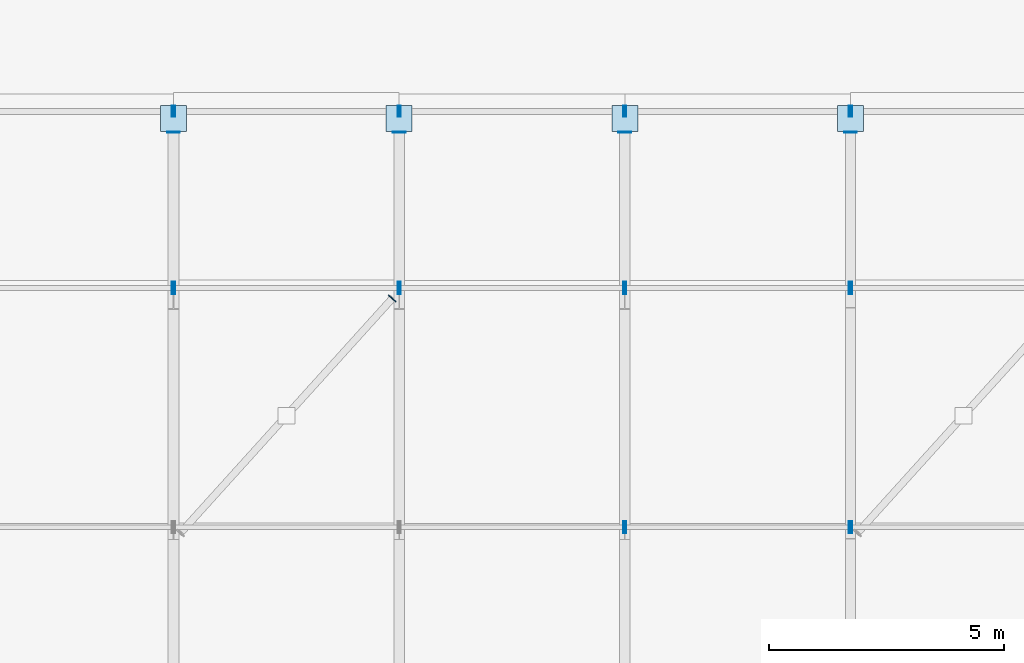
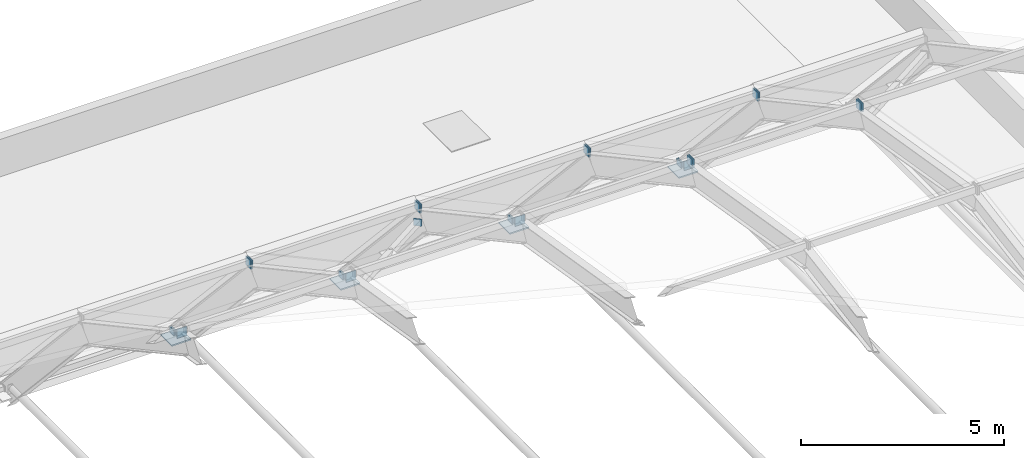
# One storey, part 6 of 10: 29 plates.
"""IFC4 building model written with IfcOpenShell, lengths in metres."""

from ifc_helpers import new_model, si_unit, direction, frame, origin, origin_2d, place, context, subcontext, project, spatial, rectangle, extrude, material, layer, layer_set, type_object, element, save


model = new_model("IFC4")

# Units and contexts
model_context = context("Model", 3, precision=1e-05, world=origin(), true_north=direction((0.0, 1.0)))
body_context = subcontext(model_context, "Body", "Model", "MODEL_VIEW")
ifc_project = project(units=[si_unit("LENGTHUNIT", "METRE"), si_unit("AREAUNIT", "SQUARE_METRE"), si_unit("VOLUMEUNIT", "CUBIC_METRE"), si_unit("PLANEANGLEUNIT", "RADIAN"), si_unit("MASSUNIT", "GRAM", prefix="KILO")], contexts=[model_context])

# Site, building, storey
site_placement = place(None, origin())
site = spatial("IfcSite", under=ifc_project, at=site_placement, CompositionType="ELEMENT")
building_placement = place(site_placement, origin())
building = spatial("IfcBuilding", under=site, at=building_placement, Name="Zantavel Square City Hall", CompositionType="ELEMENT")
storey_placement = place(building_placement, frame((0.0, 0.0, 28.5)))
storey = spatial("IfcBuildingStorey", under=building, at=storey_placement, Name="RF", CompositionType="ELEMENT", Elevation=28.5)

# Plates
ifc_material = material(Name="Steel ASTM A572 Grade 50", Category="steel")
ifc_layer_1 = layer(ifc_material, 0.01806640625, Name="Steel ASTM A572 Grade 50")
ifc_layer_set_1 = layer_set([ifc_layer_1], Name="Steel ASTM A572 Grade 50")
plate_type_1 = type_object("IfcPlateType", Name="CHS 219 End Cap Plate 18mm", PredefinedType="SHEET", material=ifc_layer_set_1)
for number, where, z_axis, x_axis, name in (
    (1, (81.60009765625, 59.7060546875, 0.212646484375), (0.0, 0.0, 1.0), (0.0, 1.0, 0.0), "Barrel Vault Rib 4 Tension Tie End Cap 2"),
    (2, (86.39990234375, 59.7060546875, 0.212646484375), (0.0, 0.0, 1.0), (0.0, 1.0, 0.0), "Barrel Vault Rib 5 Tension Tie End Cap 2"),
    (3, (91.199951171875, 59.7060546875, 0.212646484375), (0.0, 0.0, 1.0), (0.0, 1.0, 0.0), "Barrel Vault Rib 6 Tension Tie End Cap 2"),
    (4, (96.0, 59.7060546875, 0.212646484375), (0.0, 0.0, 1.0), (0.0, 1.0, 0.0), "Barrel Vault Rib 7 Tension Tie End Cap 2"),
):
    element("IfcPlate", number, at=place(storey_placement, frame(where, z_axis=z_axis, x_axis=x_axis)), inside=storey, type_object=plate_type_1, Name=name, PredefinedType="SHEET", context=body_context, shape_type="SweptSolid", body=[
        extrude(rectangle(XDim=0.01806640625, YDim=0.27490234375, at=origin_2d()), origin(), (0.0, 0.0, 1.0), 0.27490234375),
    ])
ifc_layer_2 = layer(ifc_material, 0.01611328125, Name="Steel ASTM A572 Grade 50")
ifc_layer_set_2 = layer_set([ifc_layer_2], Name="Steel ASTM A572 Grade 50")
plate_type_2 = type_object("IfcPlateType", Name="HSS 152x152 End Cap Plate 16mm", PredefinedType="SHEET", material=ifc_layer_set_2)
plate_placement = place(storey_placement, frame((86.253662109375, 56.170654296875, 4.062255859375), z_axis=(0.0, 0.0, 1.0), x_axis=(0.670437637843, 0.741965884501, 0.0)))
element("IfcPlate", 5, at=plate_placement, inside=storey, type_object=plate_type_2, Name="Vault Wind Brace B4-C5 End Cap 2", PredefinedType="SHEET", context=body_context, shape_type="SweptSolid", body=[
    extrude(rectangle(XDim=0.02392578125, YDim=0.2099609375, at=origin_2d()), origin(), (0.0, 0.0, 1.0), 0.2099609375),
])
ifc_layer_3 = layer(ifc_material, 0.01611328125, Name="Steel ASTM A572 Grade 50")
ifc_layer_set_3 = layer_set([ifc_layer_3], Name="Steel ASTM A572 Grade 50")
plate_type_3 = type_object("IfcPlateType", Name="HSS 178x127 End Cap Plate 16mm", PredefinedType="SHEET", material=ifc_layer_set_3)
for number, where, z_axis, x_axis, name in (
    (6, (81.575927734375, 60.14990234375, -0.0283203125), (0.0, 0.0, 1.0), (1.0, 0.0, 0.0), "Vault Bay 3 Purlin 7 End Cap 2"),
    (7, (81.6240234375, 60.14990234375, -0.0283203125), (0.0, 0.0, 1.0), (1.0, 0.0, 0.0), "Vault Bay 4 Purlin 7 End Cap 1"),
    (8, (86.3759765625, 60.14990234375, -0.0283203125), (0.0, 0.0, 1.0), (1.0, 0.0, 0.0), "Vault Bay 4 Purlin 7 End Cap 2"),
    (9, (86.424072265625, 60.14990234375, -0.0283203125), (0.0, 0.0, 1.0), (1.0, 0.0, 0.0), "Vault Bay 5 Purlin 7 End Cap 1"),
    (10, (91.176025390625, 60.14990234375, -0.0283203125), (0.0, 0.0, 1.0), (1.0, 0.0, 0.0), "Vault Bay 5 Purlin 7 End Cap 2"),
    (11, (91.22412109375, 60.14990234375, -0.0283203125), (0.0, 0.0, 1.0), (1.0, 0.0, 0.0), "Vault Bay 6 Purlin 7 End Cap 1"),
    (12, (95.97607421875, 60.14990234375, -0.0283203125), (0.0, 0.0, 1.0), (1.0, 0.0, 0.0), "Vault Bay 6 Purlin 7 End Cap 2"),
    (13, (96.02392578125, 60.14990234375, -0.0283203125), (0.0, 0.0, 1.0), (1.0, 0.0, 0.0), "Vault Bay 7 Purlin 7 End Cap 1"),
):
    element("IfcPlate", number, at=place(storey_placement, frame(where, z_axis=z_axis, x_axis=x_axis)), inside=storey, type_object=plate_type_3, Name=name, PredefinedType="SHEET", context=body_context, shape_type="SweptSolid", body=[
        extrude(rectangle(XDim=0.01611328125, YDim=0.235107421875, at=origin_2d()), origin(), (0.0, 0.0, 1.0), 0.235107421875),
    ])
ifc_layer_4 = layer(ifc_material, 0.01611328125, Name="Steel ASTM A572 Grade 50")
ifc_layer_set_4 = layer_set([ifc_layer_4], Name="Steel ASTM A572 Grade 50")
plate_type_4 = type_object("IfcPlateType", Name="HSS 203x102 End Cap Plate 16mm", PredefinedType="SHEET", material=ifc_layer_set_4)
for number, where, z_axis, x_axis, name in (
    (14, (81.575927734375, 56.392578125, 4.32958984375), (0.0, 0.0, 1.0), (1.0, 0.0, 0.0), "Vault Bay 3 Purlin 6 End Cap 2"),
    (15, (81.6240234375, 56.392578125, 4.32958984375), (0.0, 0.0, 1.0), (1.0, 0.0, 0.0), "Vault Bay 4 Purlin 6 End Cap 1"),
    (16, (86.3759765625, 56.392578125, 4.32958984375), (0.0, 0.0, 1.0), (1.0, 0.0, 0.0), "Vault Bay 4 Purlin 6 End Cap 2"),
    (17, (91.176025390625, 51.305908203125, 7.08447265625), (0.0, 0.0, 1.0), (1.0, 0.0, 0.0), "Vault Bay 5 Purlin 5 End Cap 2"),
    (18, (86.424072265625, 56.392578125, 4.32958984375), (0.0, 0.0, 1.0), (1.0, 0.0, 0.0), "Vault Bay 5 Purlin 6 End Cap 1"),
    (19, (91.176025390625, 56.392578125, 4.32958984375), (0.0, 0.0, 1.0), (1.0, 0.0, 0.0), "Vault Bay 5 Purlin 6 End Cap 2"),
    (20, (91.22412109375, 51.305908203125, 7.08447265625), (0.0, 0.0, 1.0), (1.0, 0.0, 0.0), "Vault Bay 6 Purlin 5 End Cap 1"),
    (21, (95.97607421875, 51.305908203125, 7.08447265625), (0.0, 0.0, 1.0), (1.0, 0.0, 0.0), "Vault Bay 6 Purlin 5 End Cap 2"),
    (22, (91.22412109375, 56.392578125, 4.32958984375), (0.0, 0.0, 1.0), (1.0, 0.0, 0.0), "Vault Bay 6 Purlin 6 End Cap 1"),
    (23, (95.97607421875, 56.392578125, 4.32958984375), (0.0, 0.0, 1.0), (1.0, 0.0, 0.0), "Vault Bay 6 Purlin 6 End Cap 2"),
    (24, (96.02392578125, 51.305908203125, 7.08447265625), (0.0, 0.0, 1.0), (1.0, 0.0, 0.0), "Vault Bay 7 Purlin 5 End Cap 1"),
    (25, (96.02392578125, 56.392578125, 4.32958984375), (0.0, 0.0, 1.0), (1.0, 0.0, 0.0), "Vault Bay 7 Purlin 6 End Cap 1"),
):
    element("IfcPlate", number, at=place(storey_placement, frame(where, z_axis=z_axis, x_axis=x_axis)), inside=storey, type_object=plate_type_4, Name=name, PredefinedType="SHEET", context=body_context, shape_type="SweptSolid", body=[
        extrude(rectangle(XDim=0.01611328125, YDim=0.260009765625, at=origin_2d()), origin(), (0.0, 0.0, 1.0), 0.260009765625),
    ])
ifc_layer_5 = layer(ifc_material, 0.0400390625, Name="Steel ASTM A572 Grade 50")
ifc_layer_set_5 = layer_set([ifc_layer_5], Name="Steel ASTM A572 Grade 50")
plate_type_5 = type_object("IfcPlateType", Name="Vault Arch Base Shoe Plate 550x550x40", PredefinedType="SHEET", material=ifc_layer_set_5)
for number, where, z_axis, x_axis, name in (
    (26, (81.60009765625, 60.0, 0.0), (0.0, 0.0, 1.0), (1.0, 0.0, 0.0), "Barrel Vault Rib 4 Base Shoe Plate 2"),
    (27, (86.39990234375, 60.0, 0.0), (0.0, 0.0, 1.0), (1.0, 0.0, 0.0), "Barrel Vault Rib 5 Base Shoe Plate 2"),
    (28, (91.199951171875, 60.0, 0.0), (0.0, 0.0, 1.0), (1.0, 0.0, 0.0), "Barrel Vault Rib 6 Base Shoe Plate 2"),
    (29, (96.0, 60.0, 0.0), (0.0, 0.0, 1.0), (1.0, 0.0, 0.0), "Barrel Vault Rib 7 Base Shoe Plate 2"),
):
    element("IfcPlate", number, at=place(storey_placement, frame(where, z_axis=z_axis, x_axis=x_axis)), inside=storey, type_object=plate_type_5, Name=name, PredefinedType="SHEET", context=body_context, shape_type="SweptSolid", body=[
        extrude(rectangle(XDim=0.550048828125, YDim=0.550048828125, at=origin_2d()), origin(), (0.0, 0.0, 1.0), 0.0400390625),
    ])

save(model, "model.ifc")
